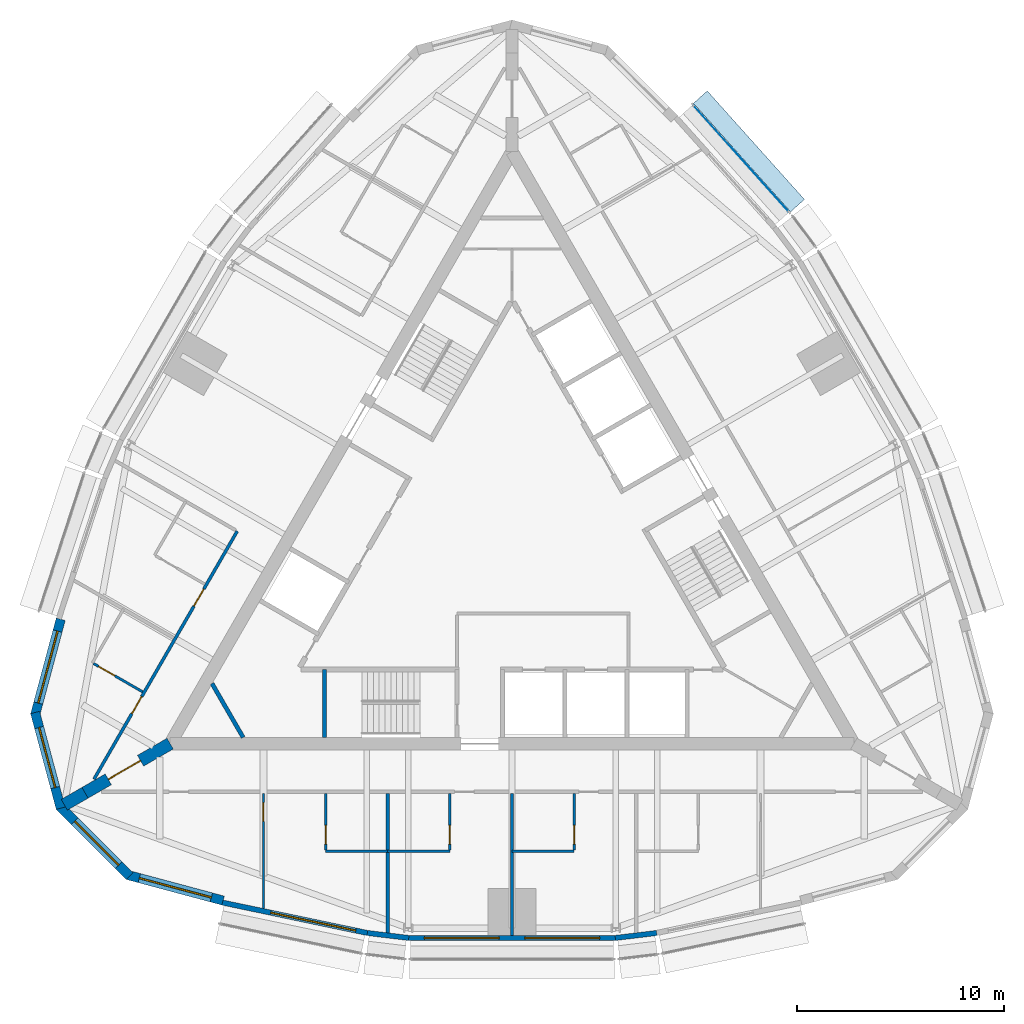
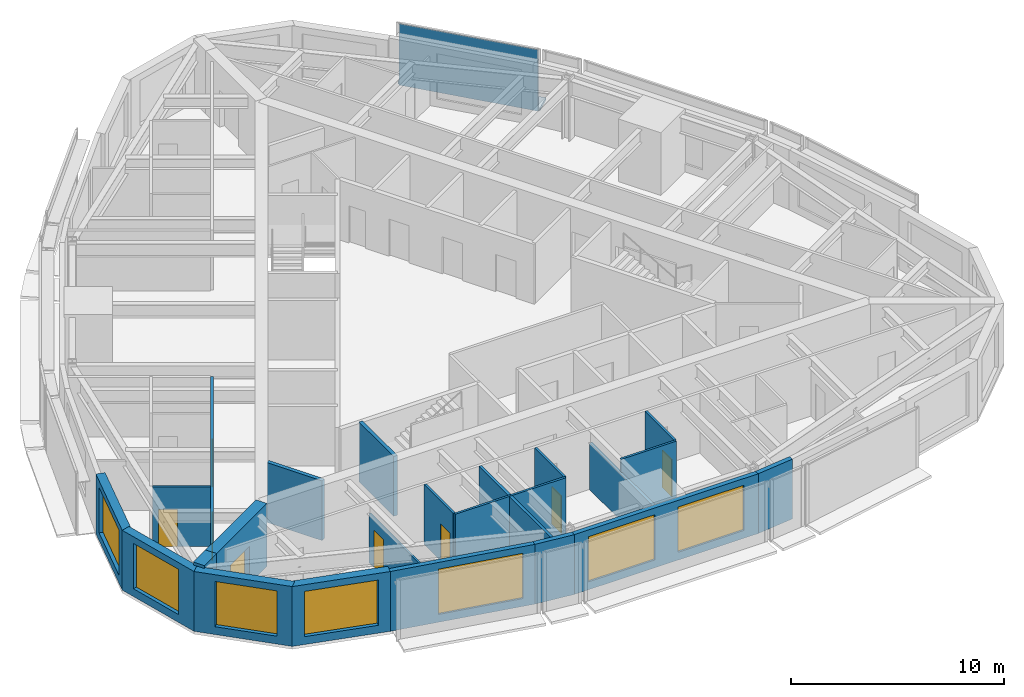
# One storey, part 7 of 12: 23 walls, 8 doors, 7 windows, 2 plates, 15 openings, 1 element without a shape of its own.
"""IFC4 building model written with IfcOpenShell, lengths in metres."""

from ifc_helpers import new_model, si_unit, direction, frame, frame_2d, origin, origin_2d, place, context, subcontext, project, spatial, polyline, rectangle, outline, extrude, material, layer, layer_set, type_object, element, fill, aggregate, save


model = new_model("IFC4")

# Units and contexts
model_context = context("Model", 3, precision=1e-05, world=origin(), true_north=direction((0.0, 1.0)))
body_context = subcontext(model_context, "Body", "Model", "MODEL_VIEW")
ifc_project = project(units=[si_unit("LENGTHUNIT", "METRE"), si_unit("AREAUNIT", "SQUARE_METRE"), si_unit("VOLUMEUNIT", "CUBIC_METRE"), si_unit("PLANEANGLEUNIT", "RADIAN"), si_unit("MASSUNIT", "GRAM", prefix="KILO")], contexts=[model_context])

# Site, building, storey
site_placement = place(None, origin())
site = spatial("IfcSite", under=ifc_project, at=site_placement, CompositionType="ELEMENT")
building_placement = place(site_placement, origin())
building = spatial("IfcBuilding", under=site, at=building_placement, Name="Trikona Tower", CompositionType="ELEMENT")
storey_placement = place(building_placement, frame((0.0, 0.0, 264.5)))
storey = spatial("IfcBuildingStorey", under=building, at=storey_placement, Name="L70", CompositionType="ELEMENT", Elevation=264.5)

# Curtain wall, plate
ifc_material_1 = material(Name="Aluminium curtain wall system", Category="aluminium")
curtain_wall_type = type_object("IfcCurtainWallType", Name="Curtain wall DS3", PredefinedType="NOTDEFINED", material=ifc_material_1)
curtain_wall_placement = place(storey_placement, origin())
curtain_wall = element("IfcCurtainWall", 1, at=curtain_wall_placement, inside=storey, type_object=curtain_wall_type, Name="Curtain wall DS3 L70", PredefinedType="NOTDEFINED")
ifc_material_2 = material(Name="Laminated clear glass", Category="glass")
ifc_layer_1 = layer(ifc_material_2, 0.028076171875)
ifc_layer_set_1 = layer_set([ifc_layer_1], Name="Glass panel DS3")
plate_type_1 = type_object("IfcPlateType", Name="Glass panel DS3", PredefinedType="CURTAIN_PANEL", material=ifc_layer_set_1)
plate_1_placement = place(storey_placement, frame((11.056884765625, 18.7216796875, 0.0), z_axis=(0.0, 0.0, 1.0), x_axis=(-0.667319643748, 0.744771436797, 0.0)))
plate_1 = element("IfcPlate", 2, at=plate_1_placement, type_object=plate_type_1, Name="CW-DS3 panel 1.1", PredefinedType="CURTAIN_PANEL", context=body_context, shape_type="SweptSolid", body=[
    extrude(rectangle(XDim=6.892822265625, YDim=0.028076171875, at=origin_2d()), origin(), (0.0, 0.0, 1.0), 3.530029296875),
])
aggregate(curtain_wall, [plate_1])

# Plate
ifc_material_3 = material(Name="Aluminium plate fin, pale anodised, on stainless steel outriggers", Category="steel")
ifc_layer_2 = layer(ifc_material_3, 0.14990234375)
ifc_layer_set_2 = layer_set([ifc_layer_2], Name="Outer skin fin 900")
plate_type_2 = type_object("IfcPlateType", Name="Outer skin fin 900", PredefinedType="USERDEFINED", material=ifc_layer_set_2)
plate_2_placement = place(storey_placement, frame((11.436767578125, 19.06201171875, 0.0), z_axis=(0.0, 0.0, 1.0), x_axis=(-0.667311465398, 0.744778764566, 0.0)))
element("IfcPlate", 3, at=plate_2_placement, inside=storey, type_object=plate_type_2, Name="Outer skin fin L70-13", ObjectType="FIN", PredefinedType="USERDEFINED", context=body_context, shape_type="SweptSolid", body=[
    extrude(rectangle(XDim=7.03271484375, YDim=0.89990234375, at=origin_2d()), origin(), (0.0, 0.0, 1.0), 0.14990234375),
])

# Wall
ifc_material_4 = material(Name="Metal stud and cement board", Category="gypsum")
ifc_layer_3 = layer(ifc_material_4, 0.1201171875)
ifc_layer_set_3 = layer_set([ifc_layer_3], Name="Bathroom wall 120")
wall_type_1 = type_object("IfcWallType", Name="Bathroom wall 120", PredefinedType="PLUMBINGWALL", material=ifc_layer_set_3)
wall_1_placement = place(storey_placement, frame((-9.0, -14.726318359375, 0.0), z_axis=(0.0, 0.0, 1.0), x_axis=(1.0, 0.0, 0.0)))
element("IfcWall", 4, at=wall_1_placement, inside=storey, type_object=wall_type_1, Name="Bathroom wall 7001.1", PredefinedType="PLUMBINGWALL", context=body_context, shape_type="SweptSolid", body=[
    extrude(rectangle(XDim=3.0, YDim=0.1201171875, at=frame_2d((1.5, 0.0))), origin(), (0.0, 0.0, 1.0), 3.43505859375),
])

# Wall, opening, door
wall_2_placement = place(storey_placement, frame((-9.0, -11.92626953125, 0.0), z_axis=(0.0, 0.0, 1.0), x_axis=(0.0, -1.0, 0.0)))
wall_2 = element("IfcWall", 5, at=wall_2_placement, inside=storey, type_object=wall_type_1, Name="Bathroom wall 7001.1", PredefinedType="PLUMBINGWALL", context=body_context, shape_type="SweptSolid", body=[
    extrude(rectangle(XDim=2.739990234375, YDim=0.1201171875, at=frame_2d((1.3701171875, 0.0))), origin(), (0.0, 0.0, 1.0), 3.43505859375),
])
opening_1_placement = place(wall_2_placement, frame((1.550048828125, 0.0, 0.0)))
opening_1 = element("IfcOpeningElement", 6, at=opening_1_placement, cuts=wall_2, Name="Opening D2", PredefinedType="OPENING", context=body_context, shape_type="SweptSolid", body=[
    extrude(rectangle(XDim=0.89990234375, YDim=2.1298828125, at=frame_2d((0.449951171875, 1.06494140625))), frame((0.0, 0.070068359375, 0.0), z_axis=(0.0, -1.0, 0.0), x_axis=(1.0, 0.0, 0.0)), (0.0, 0.0, 1.0), 0.14013671875),
])
ifc_material_5 = material(Name="Steel door frame with solid-core timber leaf", Category="steel")
door_type_1 = type_object("IfcDoorType", Name="Bathroom door 900x2130", OperationType="SLIDING_TO_LEFT", PredefinedType="DOOR", material=ifc_material_5)
door_1_placement = place(opening_1_placement, origin())
door_1 = element("IfcDoor", 7, at=door_1_placement, inside=storey, type_object=door_type_1, Name="Bathroom door 7001.1", OperationType="SLIDING_TO_LEFT", OverallHeight=2.1298828125, OverallWidth=0.89990234375, PredefinedType="DOOR", context=body_context, shape_type="SweptSolid", body=[
    extrude(rectangle(XDim=0.89990234375, YDim=2.1298828125, at=frame_2d((0.449951171875, 1.06494140625))), frame((0.0, 0.02490234375, 0.0), z_axis=(0.0, -1.0, 0.0), x_axis=(1.0, 0.0, 0.0)), (0.0, 0.0, 1.0), 0.050048828125),
])
fill(opening_1, door_1)

# Wall
wall_3_placement = place(storey_placement, frame((-6.0, -14.726318359375, 0.0), z_axis=(0.0, 0.0, 1.0), x_axis=(1.0, 0.0, 0.0)))
element("IfcWall", 8, at=wall_3_placement, inside=storey, type_object=wall_type_1, Name="Bathroom wall 7002", PredefinedType="PLUMBINGWALL", context=body_context, shape_type="SweptSolid", body=[
    extrude(rectangle(XDim=3.0, YDim=0.1201171875, at=frame_2d((1.5, 0.0))), origin(), (0.0, 0.0, 1.0), 3.43505859375),
])

# Wall, opening, door
wall_4_placement = place(storey_placement, frame((-3.0, -11.92626953125, 0.0), z_axis=(0.0, 0.0, 1.0), x_axis=(0.0, -1.0, 0.0)))
wall_4 = element("IfcWall", 9, at=wall_4_placement, inside=storey, type_object=wall_type_1, Name="Bathroom wall 7002", PredefinedType="PLUMBINGWALL", context=body_context, shape_type="SweptSolid", body=[
    extrude(rectangle(XDim=2.739990234375, YDim=0.1201171875, at=frame_2d((1.3701171875, 0.0))), origin(), (0.0, 0.0, 1.0), 3.43505859375),
])
opening_2_placement = place(wall_4_placement, frame((1.550048828125, 0.0, 0.0)))
opening_2 = element("IfcOpeningElement", 10, at=opening_2_placement, cuts=wall_4, Name="Opening D2", PredefinedType="OPENING", context=body_context, shape_type="SweptSolid", body=[
    extrude(rectangle(XDim=0.89990234375, YDim=2.1298828125, at=frame_2d((0.449951171875, 1.06494140625))), frame((0.0, 0.070068359375, 0.0), z_axis=(0.0, -1.0, 0.0), x_axis=(1.0, 0.0, 0.0)), (0.0, 0.0, 1.0), 0.14013671875),
])
door_2_placement = place(opening_2_placement, origin())
door_2 = element("IfcDoor", 11, at=door_2_placement, inside=storey, type_object=door_type_1, Name="Bathroom door 7002", OperationType="SLIDING_TO_LEFT", OverallHeight=2.1298828125, OverallWidth=0.89990234375, PredefinedType="DOOR", context=body_context, shape_type="SweptSolid", body=[
    extrude(rectangle(XDim=0.89990234375, YDim=2.1298828125, at=frame_2d((0.449951171875, 1.06494140625))), frame((0.0, 0.02490234375, 0.0), z_axis=(0.0, -1.0, 0.0), x_axis=(1.0, 0.0, 0.0)), (0.0, 0.0, 1.0), 0.050048828125),
])
fill(opening_2, door_2)

# Wall
wall_5_placement = place(storey_placement, frame((0.0, -14.726318359375, 0.0), z_axis=(0.0, 0.0, 1.0), x_axis=(1.0, 0.0, 0.0)))
element("IfcWall", 12, at=wall_5_placement, inside=storey, type_object=wall_type_1, Name="Bathroom wall 7003", PredefinedType="PLUMBINGWALL", context=body_context, shape_type="SweptSolid", body=[
    extrude(rectangle(XDim=3.0, YDim=0.1201171875, at=frame_2d((1.5, 0.0))), origin(), (0.0, 0.0, 1.0), 3.43505859375),
])

# Wall, opening, door
wall_6_placement = place(storey_placement, frame((3.0, -11.92626953125, 0.0), z_axis=(0.0, 0.0, 1.0), x_axis=(0.0, -1.0, 0.0)))
wall_6 = element("IfcWall", 13, at=wall_6_placement, inside=storey, type_object=wall_type_1, Name="Bathroom wall 7003", PredefinedType="PLUMBINGWALL", context=body_context, shape_type="SweptSolid", body=[
    extrude(rectangle(XDim=2.739990234375, YDim=0.1201171875, at=frame_2d((1.3701171875, 0.0))), origin(), (0.0, 0.0, 1.0), 3.43505859375),
])
opening_3_placement = place(wall_6_placement, frame((1.550048828125, 0.0, 0.0)))
opening_3 = element("IfcOpeningElement", 14, at=opening_3_placement, cuts=wall_6, Name="Opening D2", PredefinedType="OPENING", context=body_context, shape_type="SweptSolid", body=[
    extrude(rectangle(XDim=0.89990234375, YDim=2.1298828125, at=frame_2d((0.449951171875, 1.06494140625))), frame((0.0, 0.070068359375, 0.0), z_axis=(0.0, -1.0, 0.0), x_axis=(1.0, 0.0, 0.0)), (0.0, 0.0, 1.0), 0.14013671875),
])
door_3_placement = place(opening_3_placement, origin())
door_3 = element("IfcDoor", 15, at=door_3_placement, inside=storey, type_object=door_type_1, Name="Bathroom door 7003", OperationType="SLIDING_TO_LEFT", OverallHeight=2.1298828125, OverallWidth=0.89990234375, PredefinedType="DOOR", context=body_context, shape_type="SweptSolid", body=[
    extrude(rectangle(XDim=0.89990234375, YDim=2.1298828125, at=frame_2d((0.449951171875, 1.06494140625))), frame((0.0, 0.02490234375, 0.0), z_axis=(0.0, -1.0, 0.0), x_axis=(1.0, 0.0, 0.0)), (0.0, 0.0, 1.0), 0.050048828125),
])
fill(opening_3, door_3)

wall_7_placement = place(storey_placement, frame((-17.82861328125, -7.027099609375, 0.0), z_axis=(0.0, 0.0, 1.0), x_axis=(-0.866035715982, 0.499982138324, 0.0)))
wall_7 = element("IfcWall", 16, at=wall_7_placement, inside=storey, type_object=wall_type_1, Name="Bathroom wall 7009", PredefinedType="PLUMBINGWALL", context=body_context, shape_type="SweptSolid", body=[
    extrude(rectangle(XDim=2.73974609375, YDim=0.1201171875, at=frame_2d((1.369873046875, 0.0))), origin(), (0.0, 0.0, 1.0), 3.43505859375),
])
opening_4_placement = place(wall_7_placement, frame((1.550048828125, 0.0, 0.0)))
opening_4 = element("IfcOpeningElement", 17, at=opening_4_placement, cuts=wall_7, Name="Opening D2", PredefinedType="OPENING", context=body_context, shape_type="SweptSolid", body=[
    extrude(rectangle(XDim=0.89990234375, YDim=2.1298828125, at=frame_2d((0.449951171875, 1.06494140625))), frame((0.0, 0.070068359375, 0.0), z_axis=(0.0, -1.0, 0.0), x_axis=(1.0, 0.0, 0.0)), (0.0, 0.0, 1.0), 0.14013671875),
])
door_4_placement = place(opening_4_placement, origin())
door_4 = element("IfcDoor", 18, at=door_4_placement, inside=storey, type_object=door_type_1, Name="Bathroom door 7009", OperationType="SLIDING_TO_LEFT", OverallHeight=2.1298828125, OverallWidth=0.89990234375, PredefinedType="DOOR", context=body_context, shape_type="SweptSolid", body=[
    extrude(rectangle(XDim=0.89990234375, YDim=2.1298828125, at=frame_2d((0.449951171875, 1.06494140625))), frame((0.0, 0.02490234375, 0.0), z_axis=(0.0, -1.0, 0.0), x_axis=(1.0, 0.0, 0.0)), (0.0, 0.0, 1.0), 0.050048828125),
])
fill(opening_4, door_4)

# Wall, opening, window
ifc_material_6 = material(Name="Brick-faced precast concrete", Category="masonry")
ifc_layer_4 = layer(ifc_material_6, 0.449951171875)
ifc_layer_set_4 = layer_set([ifc_layer_4], Name="Brick-faced corner wall 450")
wall_type_2 = type_object("IfcWallType", Name="Brick-faced corner wall 450", PredefinedType="SOLIDWALL", material=ifc_layer_set_4)
wall_8_placement = place(storey_placement, frame((-21.78271484375, -3.522216796875, 0.0), z_axis=(0.0, 0.0, 1.0), x_axis=(-0.25880328844, -0.965930048136, 0.0)))
wall_8 = element("IfcWall", 19, at=wall_8_placement, inside=storey, type_object=wall_type_2, Name="External wall L70-23", PredefinedType="SOLIDWALL", context=body_context, shape_type="SweptSolid", body=[
    extrude(rectangle(XDim=4.78173828125, YDim=0.449951171875, at=frame_2d((2.390869140625, 0.0))), origin(), (0.0, 0.0, 1.0), 3.43505859375),
])
opening_5_placement = place(wall_8_placement, frame((0.5908203125, 0.0, 0.449951171875)))
opening_5 = element("IfcOpeningElement", 20, at=opening_5_placement, cuts=wall_8, Name="Opening W3626", PredefinedType="OPENING", context=body_context, shape_type="SweptSolid", body=[
    extrude(rectangle(XDim=3.60009765625, YDim=2.60009765625, at=frame_2d((1.800048828125, 1.300048828125))), frame((0.0, 0.23486328125, 0.0), z_axis=(0.0, -1.0, 0.0), x_axis=(1.0, 0.0, 0.0)), (0.0, 0.0, 1.0), 0.469970703125),
])
ifc_material_7 = material(Name="Aluminium-framed double glazing", Category="aluminium")
window_type_1 = type_object("IfcWindowType", Name="Window 3600x2600", PartitioningType="SINGLE_PANEL", PredefinedType="WINDOW", material=ifc_material_7)
window_1_placement = place(opening_5_placement, origin())
window_1 = element("IfcWindow", 21, at=window_1_placement, inside=storey, type_object=window_type_1, Name="Window 7009", OverallHeight=2.60009765625, OverallWidth=3.60009765625, PartitioningType="SINGLE_PANEL", PredefinedType="WINDOW", context=body_context, shape_type="SweptSolid", body=[
    extrude(rectangle(XDim=3.60009765625, YDim=2.60009765625, at=frame_2d((1.800048828125, 1.300048828125))), frame((0.0, 0.030029296875, 0.0), z_axis=(0.0, -1.0, 0.0), x_axis=(1.0, 0.0, 0.0)), (0.0, 0.0, 1.0), 0.06005859375),
])
fill(opening_5, window_1)

wall_9_placement = place(storey_placement, frame((-23.020263671875, -8.024658203125, 0.0), z_axis=(0.0, 0.0, 1.0), x_axis=(0.25880328844, -0.965930048136, 0.0)))
wall_9 = element("IfcWall", 22, at=wall_9_placement, inside=storey, type_object=wall_type_2, Name="External wall L70-24", PredefinedType="SOLIDWALL", context=body_context, shape_type="SweptSolid", body=[
    extrude(outline(polyline([(4.78173828125, 0.22509765625), (4.72216796875, 0.22509765625), (4.37548828125, 0.132080078125), (4.3505859375, 0.22509765625), (0.0, 0.22509765625), (0.0, -0.22509765625), (4.78173828125, -0.22509765625), (4.78173828125, 0.22509765625)])), origin(), (0.0, 0.0, 1.0), 3.43505859375),
])
opening_6_placement = place(wall_9_placement, frame((0.750244140625, 0.0, 0.449951171875)))
opening_6 = element("IfcOpeningElement", 23, at=opening_6_placement, cuts=wall_9, Name="Opening W3026", PredefinedType="OPENING", context=body_context, shape_type="SweptSolid", body=[
    extrude(rectangle(XDim=3.0, YDim=2.60009765625, at=frame_2d((1.5, 1.300048828125))), frame((0.0, 0.23486328125, 0.0), z_axis=(0.0, -1.0, 0.0), x_axis=(1.0, 0.0, 0.0)), (0.0, 0.0, 1.0), 0.469970703125),
])
ifc_material_8 = material(Name="Aluminium-framed double glazing", Category="aluminium")
window_type_2 = type_object("IfcWindowType", Name="Window 3000x2600", PartitioningType="SINGLE_PANEL", PredefinedType="WINDOW", material=ifc_material_8)
window_2_placement = place(opening_6_placement, origin())
window_2 = element("IfcWindow", 24, at=window_2_placement, inside=storey, type_object=window_type_2, Name="Window 7009", OverallHeight=2.60009765625, OverallWidth=3.0, PartitioningType="SINGLE_PANEL", PredefinedType="WINDOW", context=body_context, shape_type="SweptSolid", body=[
    extrude(rectangle(XDim=3.0, YDim=2.60009765625, at=frame_2d((1.5, 1.300048828125))), frame((0.0, 0.030029296875, 0.0), z_axis=(0.0, -1.0, 0.0), x_axis=(1.0, 0.0, 0.0)), (0.0, 0.0, 1.0), 0.06005859375),
])
fill(opening_6, window_2)

wall_10_placement = place(storey_placement, frame((-21.8408203125, -12.54248046875, 0.0), z_axis=(0.0, 0.0, 1.0), x_axis=(0.707081252484, -0.707132308968, 0.0)))
wall_10 = element("IfcWall", 25, at=wall_10_placement, inside=storey, type_object=wall_type_2, Name="External wall L70-25", PredefinedType="SOLIDWALL", context=body_context, shape_type="SweptSolid", body=[
    extrude(outline(polyline([(4.78173828125, 0.22509765625), (0.43115234375, 0.22509765625), (0.40625, 0.1318359375), (0.058837890625, 0.22509765625), (0.0, 0.22509765625), (0.0, -0.22509765625), (4.78173828125, -0.22509765625), (4.78173828125, 0.22509765625)])), origin(), (0.0, 0.0, 1.0), 3.43505859375),
])
opening_7_placement = place(wall_10_placement, frame((1.031494140625, 0.0, 0.449951171875)))
opening_7 = element("IfcOpeningElement", 26, at=opening_7_placement, cuts=wall_10, Name="Opening W3026", PredefinedType="OPENING", context=body_context, shape_type="SweptSolid", body=[
    extrude(rectangle(XDim=3.0, YDim=2.60009765625, at=frame_2d((1.5, 1.300048828125))), frame((0.0, 0.23486328125, 0.0), z_axis=(0.0, -1.0, 0.0), x_axis=(1.0, 0.0, 0.0)), (0.0, 0.0, 1.0), 0.469970703125),
])
window_3_placement = place(opening_7_placement, origin())
window_3 = element("IfcWindow", 27, at=window_3_placement, inside=storey, type_object=window_type_2, Name="Window 7001", OverallHeight=2.60009765625, OverallWidth=3.0, PartitioningType="SINGLE_PANEL", PredefinedType="WINDOW", context=body_context, shape_type="SweptSolid", body=[
    extrude(rectangle(XDim=3.0, YDim=2.60009765625, at=frame_2d((1.5, 1.300048828125))), frame((0.0, 0.030029296875, 0.0), z_axis=(0.0, -1.0, 0.0), x_axis=(1.0, 0.0, 0.0)), (0.0, 0.0, 1.0), 0.06005859375),
])
fill(opening_7, window_3)

wall_11_placement = place(storey_placement, frame((-18.560546875, -15.865478515625, 0.0), z_axis=(0.0, 0.0, 1.0), x_axis=(0.965913862671, -0.258863689806, 0.0)))
wall_11 = element("IfcWall", 28, at=wall_11_placement, inside=storey, type_object=wall_type_2, Name="External wall L70-26", PredefinedType="SOLIDWALL", context=body_context, shape_type="SweptSolid", body=[
    extrude(rectangle(XDim=4.78173828125, YDim=0.449951171875, at=frame_2d((2.390869140625, 0.0))), origin(), (0.0, 0.0, 1.0), 3.43505859375),
])
opening_8_placement = place(wall_11_placement, frame((0.5908203125, 0.0, 0.449951171875)))
opening_8 = element("IfcOpeningElement", 29, at=opening_8_placement, cuts=wall_11, Name="Opening W3626", PredefinedType="OPENING", context=body_context, shape_type="SweptSolid", body=[
    extrude(rectangle(XDim=3.60009765625, YDim=2.60009765625, at=frame_2d((1.800048828125, 1.300048828125))), frame((0.0, 0.23486328125, 0.0), z_axis=(0.0, -1.0, 0.0), x_axis=(1.0, 0.0, 0.0)), (0.0, 0.0, 1.0), 0.469970703125),
])
window_4_placement = place(opening_8_placement, origin())
window_4 = element("IfcWindow", 30, at=window_4_placement, inside=storey, type_object=window_type_1, Name="Window 7001", OverallHeight=2.60009765625, OverallWidth=3.60009765625, PartitioningType="SINGLE_PANEL", PredefinedType="WINDOW", context=body_context, shape_type="SweptSolid", body=[
    extrude(rectangle(XDim=3.60009765625, YDim=2.60009765625, at=frame_2d((1.800048828125, 1.300048828125))), frame((0.0, 0.030029296875, 0.0), z_axis=(0.0, -1.0, 0.0), x_axis=(1.0, 0.0, 0.0)), (0.0, 0.0, 1.0), 0.06005859375),
])
fill(opening_8, window_4)

# Wall, opening, door
ifc_material_9 = material(Name="Concrete f'c 10000 psi", Category="concrete")
ifc_layer_5 = layer(ifc_material_9, 0.60009765625)
ifc_layer_set_5 = layer_set([ifc_layer_5], Name="Buttress wall 600")
wall_type_3 = type_object("IfcWallType", Name="Buttress wall 600", PredefinedType="SHEAR", material=ifc_layer_set_5)
wall_12_placement = place(storey_placement, frame((-16.5, -9.5263671875, 0.0), z_axis=(0.0, 0.0, 1.0), x_axis=(-0.866031398331, -0.499989616998, 0.0)))
wall_12 = element("IfcWall", 31, at=wall_12_placement, inside=storey, type_object=wall_type_3, Name="Buttress wall 3", PredefinedType="SHEAR", context=body_context, shape_type="SweptSolid", body=[
    extrude(rectangle(XDim=4.74609375, YDim=0.60009765625, at=frame_2d((2.373046875, 0.0))), origin(), (0.0, 0.0, 1.0), 3.60009765625),
])
opening_9_placement = place(wall_12_placement, frame((1.64990234375, 0.0, 0.0)))
opening_9 = element("IfcOpeningElement", 32, at=opening_9_placement, cuts=wall_12, Name="Opening D10", PredefinedType="OPENING", context=body_context, shape_type="SweptSolid", body=[
    extrude(rectangle(XDim=1.800048828125, YDim=2.1298828125, at=frame_2d((0.89990234375, 1.06494140625))), frame((0.0, 0.31005859375, 0.0), z_axis=(0.0, -1.0, 0.0), x_axis=(1.0, 0.0, 0.0)), (0.0, 0.0, 1.0), 0.6201171875),
])
ifc_material_10 = material(Name="Hollow metal door and frame", Category="steel")
door_type_2 = type_object("IfcDoorType", Name="Cross-corridor door pair 1800x2130", OperationType="DOUBLE_DOOR_DOUBLE_SWING", PredefinedType="DOOR", material=ifc_material_10)
door_5_placement = place(opening_9_placement, origin())
door_5 = element("IfcDoor", 33, at=door_5_placement, inside=storey, type_object=door_type_2, Name="Cross-corridor door 3", OperationType="DOUBLE_DOOR_DOUBLE_SWING", OverallHeight=2.1298828125, OverallWidth=1.800048828125, PredefinedType="DOOR", context=body_context, shape_type="SweptSolid", body=[
    extrude(rectangle(XDim=1.800048828125, YDim=2.1298828125, at=frame_2d((0.89990234375, 1.06494140625))), frame((0.0, 0.02490234375, 0.0), z_axis=(0.0, -1.0, 0.0), x_axis=(1.0, 0.0, 0.0)), (0.0, 0.0, 1.0), 0.050048828125),
])
fill(opening_9, door_5)

# Wall
wall_13_placement = place(storey_placement, frame((-20.6103515625, -11.8994140625, 0.0), z_axis=(0.0, 0.0, 1.0), x_axis=(-0.866009537788, -0.500027479704, 0.0)))
element("IfcWall", 34, at=wall_13_placement, inside=storey, type_object=wall_type_3, Name="Buttress wall 3 part 2", PredefinedType="SHEAR", context=body_context, shape_type="SweptSolid", body=[
    extrude(rectangle(XDim=1.15478515625, YDim=0.60009765625, at=frame_2d((0.577392578125, 0.0))), origin(), (0.0, 0.0, 1.0), 3.60009765625),
])

# Wall, openings, doors
ifc_material_11 = material(Name="Metal stud and gypsum board, 1-hour", Category="gypsum")
ifc_layer_6 = layer(ifc_material_11, 0.14990234375)
ifc_layer_set_6 = layer_set([ifc_layer_6], Name="Corridor wall 150")
wall_type_4 = type_object("IfcWallType", Name="Corridor wall 150", PredefinedType="PARTITIONING", material=ifc_layer_set_6)
wall_14_placement = place(storey_placement, frame((-13.263427734375, 0.7294921875, 0.0), z_axis=(0.0, 0.0, 1.0), x_axis=(-0.500001642027, -0.866024455758, 0.0)))
wall_14 = element("IfcWall", 35, at=wall_14_placement, inside=storey, type_object=wall_type_4, Name="Corridor wall L70-3B", PredefinedType="PARTITIONING", context=body_context, shape_type="SweptSolid", body=[
    extrude(rectangle(XDim=13.8271484375, YDim=0.14990234375, at=frame_2d((6.91357421875, 0.0))), origin(), (0.0, 0.0, 1.0), 3.43505859375),
])
opening_10_placement = place(wall_14_placement, frame((3.22509765625, 0.0, 0.0)))
opening_10 = element("IfcOpeningElement", 36, at=opening_10_placement, cuts=wall_14, Name="Opening D1", PredefinedType="OPENING", context=body_context, shape_type="SweptSolid", body=[
    extrude(rectangle(XDim=0.949951171875, YDim=2.1298828125, at=frame_2d((0.47509765625, 1.06494140625))), frame((0.0, 0.0849609375, 0.0), z_axis=(0.0, -1.0, 0.0), x_axis=(1.0, 0.0, 0.0)), (0.0, 0.0, 1.0), 0.169921875),
])
opening_11_placement = place(wall_14_placement, frame((9.22509765625, 0.0, 0.0)))
opening_11 = element("IfcOpeningElement", 37, at=opening_11_placement, cuts=wall_14, Name="Opening D1", PredefinedType="OPENING", context=body_context, shape_type="SweptSolid", body=[
    extrude(rectangle(XDim=0.949951171875, YDim=2.1298828125, at=frame_2d((0.47509765625, 1.06494140625))), frame((0.0, 0.0849609375, 0.0), z_axis=(0.0, -1.0, 0.0), x_axis=(1.0, 0.0, 0.0)), (0.0, 0.0, 1.0), 0.169921875),
])
ifc_material_12 = material(Name="Steel door frame with solid-core timber leaf", Category="steel")
door_type_3 = type_object("IfcDoorType", Name="Guest room door 950x2130", OperationType="SINGLE_SWING_LEFT", PredefinedType="DOOR", material=ifc_material_12)
door_6_placement = place(opening_10_placement, origin())
door_6 = element("IfcDoor", 38, at=door_6_placement, inside=storey, type_object=door_type_3, Name="Room door 7008", OperationType="SINGLE_SWING_LEFT", OverallHeight=2.1298828125, OverallWidth=0.949951171875, PredefinedType="DOOR", context=body_context, shape_type="SweptSolid", body=[
    extrude(rectangle(XDim=0.949951171875, YDim=2.1298828125, at=frame_2d((0.47509765625, 1.06494140625))), frame((0.0, 0.02490234375, 0.0), z_axis=(0.0, -1.0, 0.0), x_axis=(1.0, 0.0, 0.0)), (0.0, 0.0, 1.0), 0.050048828125),
])
fill(opening_10, door_6)
door_7_placement = place(opening_11_placement, origin())
door_7 = element("IfcDoor", 39, at=door_7_placement, inside=storey, type_object=door_type_3, Name="Room door 7009", OperationType="SINGLE_SWING_RIGHT", OverallHeight=2.1298828125, OverallWidth=0.949951171875, PredefinedType="DOOR", context=body_context, shape_type="SweptSolid", body=[
    extrude(rectangle(XDim=0.949951171875, YDim=2.1298828125, at=frame_2d((0.47509765625, 1.06494140625))), frame((0.0, 0.02490234375, 0.0), z_axis=(0.0, -1.0, 0.0), x_axis=(1.0, 0.0, 0.0)), (0.0, 0.0, 1.0), 0.050048828125),
])
fill(opening_11, door_7)

# Wall, opening, window
ifc_material_13 = material(Name="Insulated precast concrete spandrel panel", Category="concrete")
ifc_layer_7 = layer(ifc_material_13, 0.25)
ifc_layer_set_7 = layer_set([ifc_layer_7], Name="Inner skin wall 250")
wall_type_5 = type_object("IfcWallType", Name="Inner skin wall 250", PredefinedType="STANDARD", material=ifc_layer_set_7)
wall_15_placement = place(storey_placement, frame((-13.974365234375, -17.1982421875, 0.0), z_axis=(0.0, 0.0, 1.0), x_axis=(0.978654320409, -0.205513311355, 0.0)))
wall_15 = element("IfcWall", 40, at=wall_15_placement, inside=storey, type_object=wall_type_5, Name="External wall L70-00", PredefinedType="STANDARD", context=body_context, shape_type="SweptSolid", body=[
    extrude(rectangle(XDim=7.152587890625, YDim=0.25, at=frame_2d((3.576171875, 0.0))), origin(), (0.0, 0.0, 1.0), 3.43505859375),
])
opening_12_placement = place(wall_15_placement, frame((2.3759765625, 0.0, 0.449951171875)))
opening_12 = element("IfcOpeningElement", 41, at=opening_12_placement, cuts=wall_15, Name="Opening W4226", PredefinedType="OPENING", context=body_context, shape_type="SweptSolid", body=[
    extrude(rectangle(XDim=4.199951171875, YDim=2.60009765625, at=frame_2d((2.10009765625, 1.300048828125))), frame((0.0, 0.135009765625, 0.0), z_axis=(0.0, -1.0, 0.0), x_axis=(1.0, 0.0, 0.0)), (0.0, 0.0, 1.0), 0.27001953125),
])
ifc_material_14 = material(Name="Aluminium-framed double glazing", Category="aluminium")
window_type_3 = type_object("IfcWindowType", Name="Window 4200x2600", PartitioningType="SINGLE_PANEL", PredefinedType="WINDOW", material=ifc_material_14)
window_5_placement = place(opening_12_placement, origin())
window_5 = element("IfcWindow", 42, at=window_5_placement, inside=storey, type_object=window_type_3, Name="Window 7001.1", OverallHeight=2.60009765625, OverallWidth=4.199951171875, PartitioningType="SINGLE_PANEL", PredefinedType="WINDOW", context=body_context, shape_type="SweptSolid", body=[
    extrude(rectangle(XDim=4.199951171875, YDim=2.60009765625, at=frame_2d((2.10009765625, 1.300048828125))), frame((0.0, 0.030029296875, 0.0), z_axis=(0.0, -1.0, 0.0), x_axis=(1.0, 0.0, 0.0)), (0.0, 0.0, 1.0), 0.06005859375),
])
fill(opening_12, window_5)

# Wall
wall_16_placement = place(storey_placement, frame((-6.985107421875, -18.66650390625, 0.0), z_axis=(0.0, 0.0, 1.0), x_axis=(0.992877411981, -0.119140441403, 0.0)))
element("IfcWall", 43, at=wall_16_placement, inside=storey, type_object=wall_type_5, Name="External wall L70-01", PredefinedType="STANDARD", context=body_context, shape_type="SweptSolid", body=[
    extrude(rectangle(XDim=2.014404296875, YDim=0.25, at=frame_2d((1.00732421875, 0.0))), origin(), (0.0, 0.0, 1.0), 3.43505859375),
])

# Wall, openings, windows
wall_17_placement = place(storey_placement, frame((-5.0, -18.905517578125, 0.0), z_axis=(0.0, 0.0, 1.0), x_axis=(1.0, 0.0, 0.0)))
wall_17 = element("IfcWall", 44, at=wall_17_placement, inside=storey, type_object=wall_type_5, Name="External wall L70-02", PredefinedType="STANDARD", context=body_context, shape_type="SweptSolid", body=[
    extrude(rectangle(XDim=10.0, YDim=0.25, at=frame_2d((5.0, 0.0))), origin(), (0.0, 0.0, 1.0), 3.43505859375),
])
opening_13_placement = place(wall_17_placement, frame((0.77490234375, 0.0, 0.449951171875)))
opening_13 = element("IfcOpeningElement", 45, at=opening_13_placement, cuts=wall_17, Name="Opening W3626", PredefinedType="OPENING", context=body_context, shape_type="SweptSolid", body=[
    extrude(rectangle(XDim=3.60009765625, YDim=2.60009765625, at=frame_2d((1.800048828125, 1.300048828125))), frame((0.0, 0.135009765625, 0.0), z_axis=(0.0, -1.0, 0.0), x_axis=(1.0, 0.0, 0.0)), (0.0, 0.0, 1.0), 0.27001953125),
])
opening_14_placement = place(wall_17_placement, frame((5.625, 0.0, 0.449951171875)))
opening_14 = element("IfcOpeningElement", 46, at=opening_14_placement, cuts=wall_17, Name="Opening W3626", PredefinedType="OPENING", context=body_context, shape_type="SweptSolid", body=[
    extrude(rectangle(XDim=3.60009765625, YDim=2.60009765625, at=frame_2d((1.800048828125, 1.300048828125))), frame((0.0, 0.135009765625, 0.0), z_axis=(0.0, -1.0, 0.0), x_axis=(1.0, 0.0, 0.0)), (0.0, 0.0, 1.0), 0.27001953125),
])
window_6_placement = place(opening_13_placement, origin())
window_6 = element("IfcWindow", 47, at=window_6_placement, inside=storey, type_object=window_type_1, Name="Window 7002", OverallHeight=2.60009765625, OverallWidth=3.60009765625, PartitioningType="SINGLE_PANEL", PredefinedType="WINDOW", context=body_context, shape_type="SweptSolid", body=[
    extrude(rectangle(XDim=3.60009765625, YDim=2.60009765625, at=frame_2d((1.800048828125, 1.300048828125))), frame((0.0, 0.030029296875, 0.0), z_axis=(0.0, -1.0, 0.0), x_axis=(1.0, 0.0, 0.0)), (0.0, 0.0, 1.0), 0.06005859375),
])
fill(opening_13, window_6)
window_7_placement = place(opening_14_placement, origin())
window_7 = element("IfcWindow", 48, at=window_7_placement, inside=storey, type_object=window_type_1, Name="Window 7003", OverallHeight=2.60009765625, OverallWidth=3.60009765625, PartitioningType="SINGLE_PANEL", PredefinedType="WINDOW", context=body_context, shape_type="SweptSolid", body=[
    extrude(rectangle(XDim=3.60009765625, YDim=2.60009765625, at=frame_2d((1.800048828125, 1.300048828125))), frame((0.0, 0.030029296875, 0.0), z_axis=(0.0, -1.0, 0.0), x_axis=(1.0, 0.0, 0.0)), (0.0, 0.0, 1.0), 0.06005859375),
])
fill(opening_14, window_7)

# Walls
wall_18_placement = place(storey_placement, frame((4.985107421875, -18.906494140625, 0.0), z_axis=(0.0, 0.0, 1.0), x_axis=(0.992877411981, 0.119140441403, 0.0)))
element("IfcWall", 49, at=wall_18_placement, inside=storey, type_object=wall_type_5, Name="External wall L70-03", PredefinedType="STANDARD", context=body_context, shape_type="SweptSolid", body=[
    extrude(rectangle(XDim=2.014404296875, YDim=0.25, at=frame_2d((1.00732421875, 0.0))), origin(), (0.0, 0.0, 1.0), 3.43505859375),
])
ifc_material_15 = material(Name="Metal stud and gypsum board, 1-hour acoustic", Category="gypsum")
ifc_layer_8 = layer(ifc_material_15, 0.14990234375)
ifc_layer_set_8 = layer_set([ifc_layer_8], Name="Party wall 150")
wall_type_6 = type_object("IfcWallType", Name="Party wall 150", PredefinedType="PARTITIONING", material=ifc_layer_set_8)
wall_19_placement = place(storey_placement, frame((-6.0, -11.92626953125, 0.0), z_axis=(0.0, 0.0, 1.0), x_axis=(0.0, -1.0, 0.0)))
element("IfcWall", 50, at=wall_19_placement, inside=storey, type_object=wall_type_6, Name="Partition L70 F1 u-6", PredefinedType="PARTITIONING", context=body_context, shape_type="SweptSolid", body=[
    extrude(rectangle(XDim=6.732421875, YDim=0.14990234375, at=frame_2d((3.3662109375, 0.0))), origin(), (0.0, 0.0, 1.0), 3.43505859375),
])
wall_20_placement = place(storey_placement, frame((0.0, -11.92626953125, 0.0), z_axis=(0.0, 0.0, 1.0), x_axis=(0.0, -1.0, 0.0)))
element("IfcWall", 51, at=wall_20_placement, inside=storey, type_object=wall_type_6, Name="Partition L70 F1 u0", PredefinedType="PARTITIONING", context=body_context, shape_type="SweptSolid", body=[
    extrude(rectangle(XDim=6.854248046875, YDim=0.14990234375, at=frame_2d((3.42724609375, 0.0))), origin(), (0.0, 0.0, 1.0), 2.677978515625),
])
ifc_material_16 = material(Name="Concrete f'c 8000 psi", Category="concrete")
ifc_layer_9 = layer(ifc_material_16, 0.199951171875)
ifc_layer_set_9 = layer_set([ifc_layer_9], Name="Shaft wall 200")
wall_type_7 = type_object("IfcWallType", Name="Shaft wall 200", PredefinedType="SOLIDWALL", material=ifc_layer_set_9)
wall_21_placement = place(storey_placement, frame((-12.978271484375, -9.226318359375, 0.0), z_axis=(0.0, 0.0, 1.0), x_axis=(-0.499952404951, 0.866052881055, 0.0)))
element("IfcWall", 52, at=wall_21_placement, inside=storey, type_object=wall_type_7, Name="Riser wall L70-RS3", PredefinedType="SOLIDWALL", context=body_context, shape_type="SweptSolid", body=[
    extrude(rectangle(XDim=3.002197265625, YDim=0.199951171875, at=frame_2d((1.5009765625, 0.0))), origin(), (0.0, 0.0, 1.0), 3.43505859375),
])
ifc_material_17 = material(Name="Concrete f'c 8000 psi", Category="concrete")
ifc_layer_10 = layer(ifc_material_17, 0.199951171875)
ifc_layer_set_10 = layer_set([ifc_layer_10], Name="Shaft wall 200 load-bearing")
wall_type_8 = type_object("IfcWallType", Name="Shaft wall 200 load-bearing", PredefinedType="SOLIDWALL", material=ifc_layer_set_10)
wall_22_placement = place(storey_placement, frame((-9.050048828125, -5.951416015625, 0.0), z_axis=(0.0, 0.0, 1.0), x_axis=(0.0, -1.0, 0.0)))
element("IfcWall", 53, at=wall_22_placement, inside=storey, type_object=wall_type_8, Name="Shaft wall A1", PredefinedType="SOLIDWALL", context=body_context, shape_type="SweptSolid", body=[
    extrude(rectangle(XDim=3.27490234375, YDim=0.199951171875, at=frame_2d((1.637451171875, 0.0))), origin(), (0.0, 0.0, 1.0), 3.43505859375),
])

# Wall, opening, door
ifc_material_18 = material(Name="Metal stud and gypsum board, acoustic", Category="gypsum")
ifc_layer_11 = layer(ifc_material_18, 0.10009765625)
ifc_layer_set_11 = layer_set([ifc_layer_11], Name="Suite partition 100")
wall_type_9 = type_object("IfcWallType", Name="Suite partition 100", PredefinedType="PARTITIONING", material=ifc_layer_set_11)
wall_23_placement = place(storey_placement, frame((-12.0, -11.92626953125, 0.0), z_axis=(0.0, 0.0, 1.0), x_axis=(0.0, -1.0, 0.0)))
wall_23 = element("IfcWall", 54, at=wall_23_placement, inside=storey, type_object=wall_type_9, Name="Suite partition L70 F1 u-12", PredefinedType="PARTITIONING", context=body_context, shape_type="SweptSolid", body=[
    extrude(rectangle(XDim=5.558837890625, YDim=0.10009765625, at=frame_2d((2.779296875, 0.0))), origin(), (0.0, 0.0, 1.0), 2.82275390625),
])
opening_15_placement = place(wall_23_placement, frame((0.449951171875, 0.0, 0.0)))
opening_15 = element("IfcOpeningElement", 55, at=opening_15_placement, cuts=wall_23, Name="Opening D13", PredefinedType="OPENING", context=body_context, shape_type="SweptSolid", body=[
    extrude(rectangle(XDim=0.89990234375, YDim=2.1298828125, at=frame_2d((0.449951171875, 1.06494140625))), frame((0.0, 0.06005859375, 0.0), z_axis=(0.0, -1.0, 0.0), x_axis=(1.0, 0.0, 0.0)), (0.0, 0.0, 1.0), 0.1201171875),
])
ifc_material_19 = material(Name="Steel door frame with solid-core timber leaf", Category="steel")
door_type_4 = type_object("IfcDoorType", Name="Suite door 900x2130", OperationType="SINGLE_SWING_LEFT", PredefinedType="DOOR", material=ifc_material_19)
door_8_placement = place(opening_15_placement, origin())
door_8 = element("IfcDoor", 56, at=door_8_placement, inside=storey, type_object=door_type_4, Name="Suite door 7001", OperationType="SINGLE_SWING_LEFT", OverallHeight=2.1298828125, OverallWidth=0.89990234375, PredefinedType="DOOR", context=body_context, shape_type="SweptSolid", body=[
    extrude(rectangle(XDim=0.89990234375, YDim=2.1298828125, at=frame_2d((0.449951171875, 1.06494140625))), frame((0.0, 0.02490234375, 0.0), z_axis=(0.0, -1.0, 0.0), x_axis=(1.0, 0.0, 0.0)), (0.0, 0.0, 1.0), 0.050048828125),
])
fill(opening_15, door_8)

save(model, "model.ifc")
